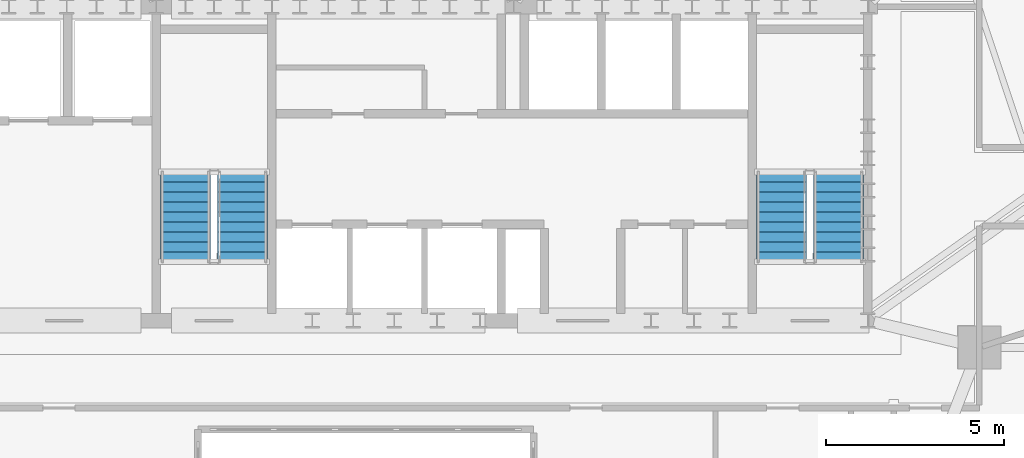
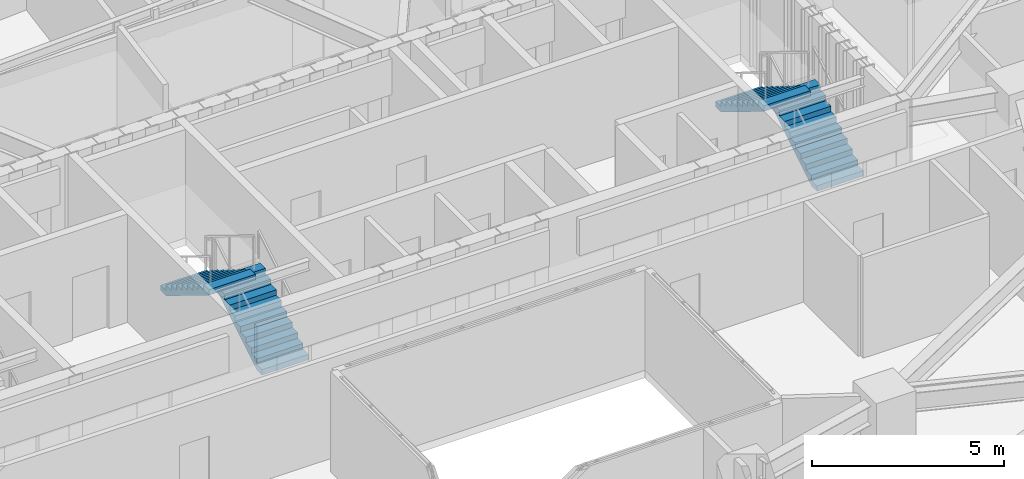
# One storey, part 9 of 13: 4 stair flights, 2 elements without a shape of their own.
"""IFC4 building model written with IfcOpenShell, lengths in metres."""

from ifc_helpers import new_model, si_unit, direction, frame, origin, place, context, subcontext, project, spatial, polyline, outline, extrude, material, type_object, element, aggregate, save


model = new_model("IFC4")

# Units and contexts
model_context = context("Model", 3, precision=1e-05, world=origin(), true_north=direction((0.0, 1.0)))
body_context = subcontext(model_context, "Body", "Model", "MODEL_VIEW")
ifc_project = project(units=[si_unit("LENGTHUNIT", "METRE"), si_unit("AREAUNIT", "SQUARE_METRE"), si_unit("VOLUMEUNIT", "CUBIC_METRE"), si_unit("PLANEANGLEUNIT", "RADIAN"), si_unit("MASSUNIT", "GRAM", prefix="KILO")], contexts=[model_context])

# Site, building, storey
site_placement = place(None, origin())
site = spatial("IfcSite", under=ifc_project, at=site_placement, CompositionType="ELEMENT")
building_placement = place(site_placement, origin())
building = spatial("IfcBuilding", under=site, at=building_placement, Name="Haldorwick Loom Tower", CompositionType="ELEMENT")
storey_placement = place(building_placement, frame((0.0, 0.0, 178.60009765625)))
storey = spatial("IfcBuildingStorey", under=building, at=storey_placement, Name="L48", CompositionType="ELEMENT", Elevation=178.60009765625)

# Stair, stair flights
ifc_material = material(Name="Concrete C40 (40 MPa)", Category="concrete")
stair_type = type_object("IfcStairType", Name="STR-STR-CORE", PredefinedType="HALF_TURN_STAIR", material=ifc_material)
stair_1_placement = place(storey_placement, origin())
stair_1 = element("IfcStair", 1, at=stair_1_placement, inside=storey, type_object=stair_type, Name="L48 Exit Stair ST-02", PredefinedType="HALF_TURN_STAIR")
stair_flight_type = type_object("IfcStairFlightType", Name="STR-STF-1250", PredefinedType="STRAIGHT", material=ifc_material)
stair_flight_1_placement = place(storey_placement, frame((49.25, 28.39990234375, 0.0), z_axis=(0.0, 0.0, 1.0), x_axis=(0.0, 1.0, 0.0)))
stair_flight_1 = element("IfcStairFlight", 2, at=stair_flight_1_placement, type_object=stair_flight_type, Name="ST-02 flight 1", NumberOfRisers=10, NumberOfTreads=9, PredefinedType="STRAIGHT", RiserHeight=0.1725, TreadLength=0.28, context=body_context, shape_type="SweptSolid", body=[
    extrude(outline(polyline([(0.0, 0.0), (0.0, 0.172607421875), (0.280029296875, 0.172607421875), (0.280029296875, 0.344970703125), (0.56005859375, 0.344970703125), (0.56005859375, 0.517578125), (0.840087890625, 0.517578125), (0.840087890625, 0.68994140625), (1.1201171875, 0.68994140625), (1.1201171875, 0.862548828125), (1.39990234375, 0.862548828125), (1.39990234375, 1.034912109375), (1.679931640625, 1.034912109375), (1.679931640625, 1.20751953125), (1.9599609375, 1.20751953125), (1.9599609375, 1.3798828125), (2.239990234375, 1.3798828125), (2.239990234375, 1.552490234375), (2.52001953125, 1.552490234375), (2.52001953125, 1.72509765625), (2.52001953125, 1.37646484375), (0.285888671875, 0.0), (0.0, 0.0)])), frame((0.0, 0.699951171875, 0.0), z_axis=(0.0, -1.0, 0.0), x_axis=(1.0, 0.0, 0.0)), (0.0, 0.0, 1.0), 1.39990234375),
])
stair_flight_2_placement = place(storey_placement, frame((47.64990234375, 30.919921875, 1.724853515625), z_axis=(0.0, 0.0, 1.0), x_axis=(0.0, -1.0, 0.0)))
stair_flight_2 = element("IfcStairFlight", 3, at=stair_flight_2_placement, type_object=stair_flight_type, Name="ST-02 flight 2", NumberOfRisers=10, NumberOfTreads=9, PredefinedType="STRAIGHT", RiserHeight=0.1725, TreadLength=0.28, context=body_context, shape_type="SweptSolid", body=[
    extrude(outline(polyline([(0.0, 0.0), (0.0, 0.172607421875), (0.280029296875, 0.172607421875), (0.280029296875, 0.344970703125), (0.56005859375, 0.344970703125), (0.56005859375, 0.517578125), (0.840087890625, 0.517578125), (0.840087890625, 0.68994140625), (1.1201171875, 0.68994140625), (1.1201171875, 0.862548828125), (1.39990234375, 0.862548828125), (1.39990234375, 1.034912109375), (1.679931640625, 1.034912109375), (1.679931640625, 1.20751953125), (1.9599609375, 1.20751953125), (1.9599609375, 1.3798828125), (2.239990234375, 1.3798828125), (2.239990234375, 1.552490234375), (2.52001953125, 1.552490234375), (2.52001953125, 1.72509765625), (2.52001953125, 1.37646484375), (0.285888671875, 0.0), (0.0, 0.0)])), frame((0.0, 0.699951171875, 0.0), z_axis=(0.0, -1.0, 0.0), x_axis=(1.0, 0.0, 0.0)), (0.0, 0.0, 1.0), 1.39990234375),
])
aggregate(stair_1, [stair_flight_1, stair_flight_2])

stair_2_placement = place(storey_placement, origin())
stair_2 = element("IfcStair", 4, at=stair_2_placement, inside=storey, type_object=stair_type, Name="L48 Exit Stair ST-03", PredefinedType="HALF_TURN_STAIR")
stair_flight_3_placement = place(storey_placement, frame((32.550048828125, 28.39990234375, 0.0), z_axis=(0.0, 0.0, 1.0), x_axis=(0.0, 1.0, 0.0)))
stair_flight_3 = element("IfcStairFlight", 5, at=stair_flight_3_placement, type_object=stair_flight_type, Name="ST-03 flight 1", NumberOfRisers=10, NumberOfTreads=9, PredefinedType="STRAIGHT", RiserHeight=0.1725, TreadLength=0.28, context=body_context, shape_type="SweptSolid", body=[
    extrude(outline(polyline([(0.0, 0.0), (0.0, 0.172607421875), (0.280029296875, 0.172607421875), (0.280029296875, 0.344970703125), (0.56005859375, 0.344970703125), (0.56005859375, 0.517578125), (0.840087890625, 0.517578125), (0.840087890625, 0.68994140625), (1.1201171875, 0.68994140625), (1.1201171875, 0.862548828125), (1.39990234375, 0.862548828125), (1.39990234375, 1.034912109375), (1.679931640625, 1.034912109375), (1.679931640625, 1.20751953125), (1.9599609375, 1.20751953125), (1.9599609375, 1.3798828125), (2.239990234375, 1.3798828125), (2.239990234375, 1.552490234375), (2.52001953125, 1.552490234375), (2.52001953125, 1.72509765625), (2.52001953125, 1.37646484375), (0.285888671875, 0.0), (0.0, 0.0)])), frame((0.0, 0.699951171875, 0.0), z_axis=(0.0, -1.0, 0.0), x_axis=(1.0, 0.0, 0.0)), (0.0, 0.0, 1.0), 1.39990234375),
])
stair_flight_4_placement = place(storey_placement, frame((30.949951171875, 30.919921875, 1.724853515625), z_axis=(0.0, 0.0, 1.0), x_axis=(0.0, -1.0, 0.0)))
stair_flight_4 = element("IfcStairFlight", 6, at=stair_flight_4_placement, type_object=stair_flight_type, Name="ST-03 flight 2", NumberOfRisers=10, NumberOfTreads=9, PredefinedType="STRAIGHT", RiserHeight=0.1725, TreadLength=0.28, context=body_context, shape_type="SweptSolid", body=[
    extrude(outline(polyline([(0.0, 0.0), (0.0, 0.172607421875), (0.280029296875, 0.172607421875), (0.280029296875, 0.344970703125), (0.56005859375, 0.344970703125), (0.56005859375, 0.517578125), (0.840087890625, 0.517578125), (0.840087890625, 0.68994140625), (1.1201171875, 0.68994140625), (1.1201171875, 0.862548828125), (1.39990234375, 0.862548828125), (1.39990234375, 1.034912109375), (1.679931640625, 1.034912109375), (1.679931640625, 1.20751953125), (1.9599609375, 1.20751953125), (1.9599609375, 1.3798828125), (2.239990234375, 1.3798828125), (2.239990234375, 1.552490234375), (2.52001953125, 1.552490234375), (2.52001953125, 1.72509765625), (2.52001953125, 1.37646484375), (0.285888671875, 0.0), (0.0, 0.0)])), frame((0.0, 0.699951171875, 0.0), z_axis=(0.0, -1.0, 0.0), x_axis=(1.0, 0.0, 0.0)), (0.0, 0.0, 1.0), 1.39990234375),
])
aggregate(stair_2, [stair_flight_3, stair_flight_4])

save(model, "model.ifc")
